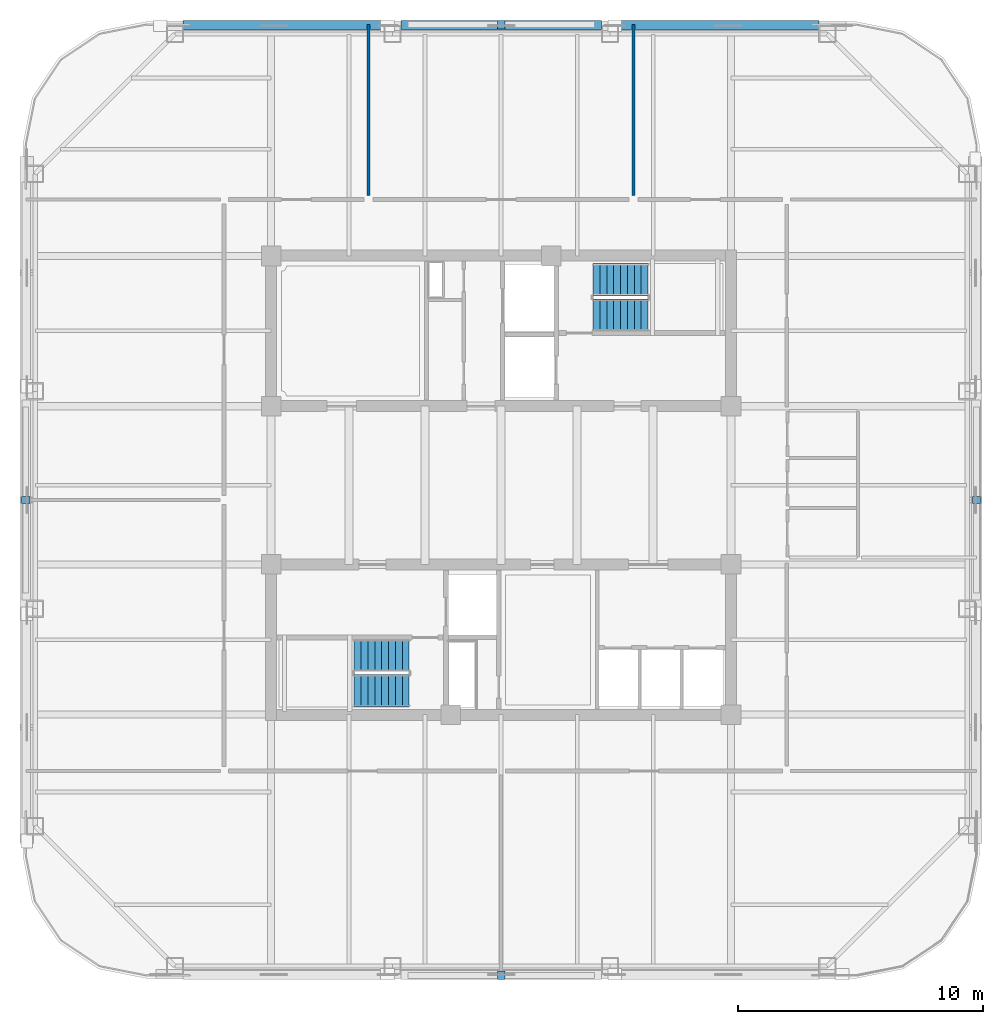
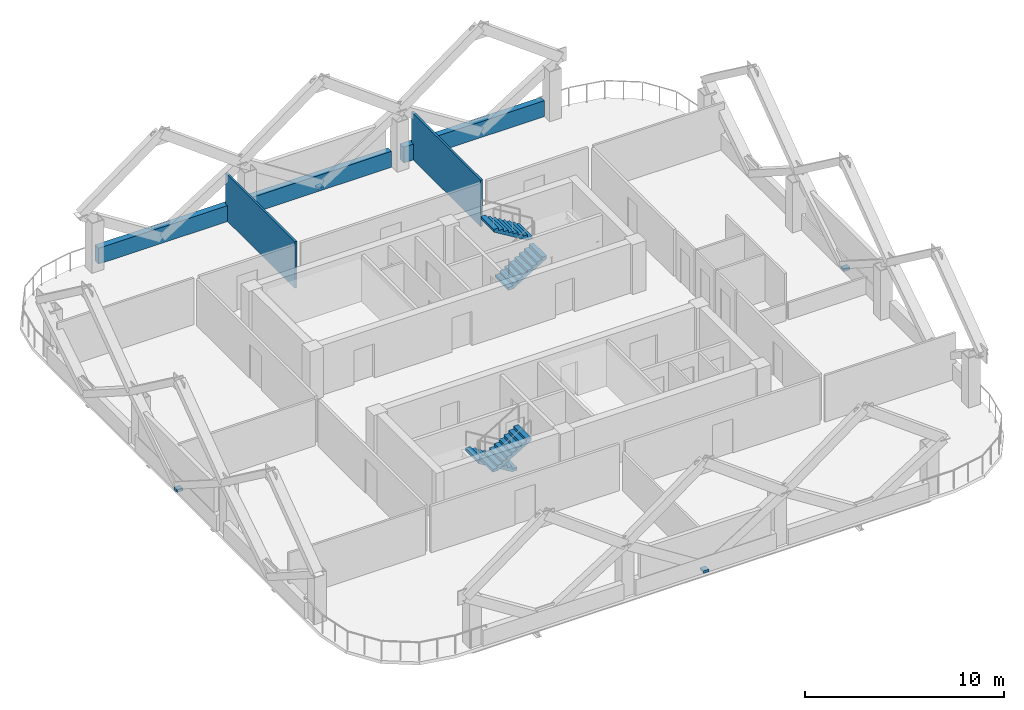
# One storey, part 5 of 8: 5 walls, 4 discrete accessories, 4 stair flights, 2 elements without a shape of their own.
"""IFC4 building model written with IfcOpenShell, lengths in metres."""

from ifc_helpers import new_model, si_unit, direction, frame, frame_2d, origin, origin_2d, place, context, subcontext, project, spatial, polyline, rectangle, outline, extrude, material, layer, layer_set, type_object, element, aggregate, save


model = new_model("IFC4")

# Units and contexts
model_context = context("Model", 3, precision=1e-05, world=origin(), true_north=direction((0.0, 1.0)))
body_context = subcontext(model_context, "Body", "Model", "MODEL_VIEW")
ifc_project = project(units=[si_unit("LENGTHUNIT", "METRE"), si_unit("AREAUNIT", "SQUARE_METRE"), si_unit("VOLUMEUNIT", "CUBIC_METRE"), si_unit("PLANEANGLEUNIT", "RADIAN"), si_unit("MASSUNIT", "GRAM", prefix="KILO")], contexts=[model_context])

# Site, building, storey
site_placement = place(None, origin())
site = spatial("IfcSite", under=ifc_project, at=site_placement, CompositionType="ELEMENT")
building_placement = place(site_placement, origin())
building = spatial("IfcBuilding", under=site, at=building_placement, Name="Qhalaya Broadcast Tower", CompositionType="ELEMENT")
storey_placement = place(building_placement, frame((0.0, 0.0, 223.89990234375)))
storey = spatial("IfcBuildingStorey", under=building, at=storey_placement, Name="L66", CompositionType="ELEMENT", Elevation=223.89990234375)

# Walls
ifc_material_1 = material(Name="Precast Concrete C40/50", Category="concrete")
ifc_layer_1 = layer(ifc_material_1, 0.360107421875, Name="Precast Concrete C40/50")
ifc_layer_set_1 = layer_set([ifc_layer_1], Name="Precast Concrete C40/50")
wall_type_1 = type_object("IfcWallType", Name="Insulated Precast Terracotta Exterior Wall 360", PredefinedType="SOLIDWALL", material=ifc_layer_set_1)
wall_1_placement = place(storey_placement, frame((-12.9619140625, 19.360107421875, 0.0), z_axis=(0.0, 0.0, 1.0), x_axis=(1.0, 0.0, 0.0)))
element("IfcWall", 1, at=wall_1_placement, inside=storey, type_object=wall_type_1, Name="L66 Exoskeleton Diagrid Infill Wall N1", PredefinedType="SOLIDWALL", context=body_context, shape_type="SweptSolid", body=[
    extrude(rectangle(XDim=8.1787109375, YDim=0.360107421875, at=frame_2d((4.08935546875, 0.0))), origin(), (0.0, 0.0, 1.0), 0.97998046875),
])
wall_2_placement = place(storey_placement, frame((-4.083251953125, 19.360107421875, 0.0), z_axis=(0.0, 0.0, 1.0), x_axis=(1.0, 0.0, 0.0)))
element("IfcWall", 2, at=wall_2_placement, inside=storey, type_object=wall_type_1, Name="L66 Exoskeleton Diagrid Infill Wall N2", PredefinedType="SOLIDWALL", context=body_context, shape_type="SweptSolid", body=[
    extrude(rectangle(XDim=8.16650390625, YDim=0.360107421875, at=frame_2d((4.083251953125, 0.0))), origin(), (0.0, 0.0, 1.0), 0.97998046875),
])
wall_3_placement = place(storey_placement, frame((4.783203125, 19.360107421875, 0.0), z_axis=(0.0, 0.0, 1.0), x_axis=(1.0, 0.0, 0.0)))
element("IfcWall", 3, at=wall_3_placement, inside=storey, type_object=wall_type_1, Name="L66 Exoskeleton Diagrid Infill Wall N3", PredefinedType="SOLIDWALL", context=body_context, shape_type="SweptSolid", body=[
    extrude(rectangle(XDim=8.1787109375, YDim=0.360107421875, at=frame_2d((4.08935546875, 0.0))), origin(), (0.0, 0.0, 1.0), 0.97998046875),
])
ifc_material_2 = material(Name="Gypsum Acoustic Partition")
ifc_layer_2 = layer(ifc_material_2, 0.1201171875, Name="Gypsum Acoustic Partition")
ifc_layer_set_2 = layer_set([ifc_layer_2], Name="Gypsum Acoustic Partition")
wall_type_2 = type_object("IfcWallType", Name="Office, Booth & Sanitary Partition 120", PredefinedType="PARTITIONING", material=ifc_layer_set_2)
for number, where, z_axis, x_axis, name in (
    (4, (-5.39990234375, 12.409912109375, 0.0), (0.0, 0.0, 1.0), (0.0, 1.0, 0.0), "L66 Partition Wall W-DIVN1"),
    (5, (5.39990234375, 12.409912109375, 0.0), (0.0, 0.0, 1.0), (0.0, 1.0, 0.0), "L66 Partition Wall W-DIVN2"),
):
    element("IfcWall", number, at=place(storey_placement, frame(where, z_axis=z_axis, x_axis=x_axis)), inside=storey, type_object=wall_type_2, Name=name, PredefinedType="PARTITIONING", context=body_context, shape_type="SweptSolid", body=[
        extrude(rectangle(XDim=6.969970703125, YDim=0.1201171875, at=frame_2d((3.48486328125, 0.0))), origin(), (0.0, 0.0, 1.0), 2.860107421875),
    ])

# Stair, stair flights
ifc_material_3 = material(Name="Concrete C40/50", Category="concrete")
stair_type = type_object("IfcStairType", Name="Protected Dogleg Core Stair 3150", PredefinedType="TWO_STRAIGHT_RUN_STAIR", material=ifc_material_3)
stair_1_placement = place(storey_placement, origin())
stair_1 = element("IfcStair", 6, at=stair_1_placement, inside=storey, type_object=stair_type, Name="L66 North Core Exit Stair ST-1", PredefinedType="TWO_STRAIGHT_RUN_STAIR")
stair_flight_type = type_object("IfcStairFlightType", Name="Precast Concrete Stair Flight 3150", PredefinedType="STRAIGHT", material=ifc_material_1)
stair_flight_1_placement = place(storey_placement, frame((3.75, 7.5400390625, 0.0), z_axis=(0.0, 0.0, 1.0), x_axis=(1.0, 0.0, 0.0)))
stair_flight_1 = element("IfcStairFlight", 7, at=stair_flight_1_placement, type_object=stair_flight_type, Name="ST-1 flight 1", NumberOfRisers=9, NumberOfTreads=8, PredefinedType="STRAIGHT", RiserHeight=0.169444444, TreadLength=0.28, context=body_context, shape_type="SweptSolid", body=[
    extrude(outline(polyline([(0.0, 0.0), (0.0, 0.16943359375), (0.280029296875, 0.16943359375), (0.280029296875, 0.3388671875), (0.56005859375, 0.3388671875), (0.56005859375, 0.50830078125), (0.840087890625, 0.50830078125), (0.840087890625, 0.677734375), (1.1201171875, 0.677734375), (1.1201171875, 0.84716796875), (1.39990234375, 0.84716796875), (1.39990234375, 1.0166015625), (1.679931640625, 1.0166015625), (1.679931640625, 1.18603515625), (1.9599609375, 1.18603515625), (1.9599609375, 1.35546875), (2.239990234375, 1.35546875), (2.239990234375, 1.52490234375), (2.239990234375, 1.180419921875), (0.28955078125, 0.0), (0.0, 0.0)])), frame((0.0, 0.66015625, 0.0), z_axis=(0.0, -1.0, 0.0), x_axis=(1.0, 0.0, 0.0)), (0.0, 0.0, 1.0), 1.320068359375),
])
stair_flight_2_placement = place(storey_placement, frame((5.989990234375, 8.97998046875, 1.525146484375), z_axis=(0.0, 0.0, 1.0), x_axis=(-1.0, 0.0, 0.0)))
stair_flight_2 = element("IfcStairFlight", 8, at=stair_flight_2_placement, type_object=stair_flight_type, Name="ST-1 flight 2", NumberOfRisers=9, NumberOfTreads=8, PredefinedType="STRAIGHT", RiserHeight=0.169444444, TreadLength=0.28, context=body_context, shape_type="SweptSolid", body=[
    extrude(outline(polyline([(0.0, 0.0), (0.0, 0.16943359375), (0.280029296875, 0.16943359375), (0.280029296875, 0.3388671875), (0.56005859375, 0.3388671875), (0.56005859375, 0.50830078125), (0.840087890625, 0.50830078125), (0.840087890625, 0.677734375), (1.1201171875, 0.677734375), (1.1201171875, 0.84716796875), (1.39990234375, 0.84716796875), (1.39990234375, 1.0166015625), (1.679931640625, 1.0166015625), (1.679931640625, 1.18603515625), (1.9599609375, 1.18603515625), (1.9599609375, 1.35546875), (2.239990234375, 1.35546875), (2.239990234375, 1.52490234375), (2.239990234375, 1.180419921875), (0.28955078125, 0.0), (0.0, 0.0)])), frame((0.0, 0.66015625, 0.0), z_axis=(0.0, -1.0, 0.0), x_axis=(1.0, 0.0, 0.0)), (0.0, 0.0, 1.0), 1.320068359375),
])
aggregate(stair_1, [stair_flight_1, stair_flight_2])

stair_2_placement = place(storey_placement, origin())
stair_2 = element("IfcStair", 9, at=stair_2_placement, inside=storey, type_object=stair_type, Name="L66 South Core Exit Stair ST-2", PredefinedType="TWO_STRAIGHT_RUN_STAIR")
stair_flight_3_placement = place(storey_placement, frame((-3.75, -6.340087890625, 0.0), z_axis=(0.0, 0.0, 1.0), x_axis=(-1.0, 0.0, 0.0)))
stair_flight_3 = element("IfcStairFlight", 10, at=stair_flight_3_placement, type_object=stair_flight_type, Name="ST-2 flight 1", NumberOfRisers=9, NumberOfTreads=8, PredefinedType="STRAIGHT", RiserHeight=0.169444444, TreadLength=0.28, context=body_context, shape_type="SweptSolid", body=[
    extrude(outline(polyline([(0.0, 0.0), (0.0, 0.16943359375), (0.280029296875, 0.16943359375), (0.280029296875, 0.3388671875), (0.56005859375, 0.3388671875), (0.56005859375, 0.50830078125), (0.840087890625, 0.50830078125), (0.840087890625, 0.677734375), (1.1201171875, 0.677734375), (1.1201171875, 0.84716796875), (1.39990234375, 0.84716796875), (1.39990234375, 1.0166015625), (1.679931640625, 1.0166015625), (1.679931640625, 1.18603515625), (1.9599609375, 1.18603515625), (1.9599609375, 1.35546875), (2.239990234375, 1.35546875), (2.239990234375, 1.52490234375), (2.239990234375, 1.180419921875), (0.28955078125, 0.0), (0.0, 0.0)])), frame((0.0, 0.66015625, 0.0), z_axis=(0.0, -1.0, 0.0), x_axis=(1.0, 0.0, 0.0)), (0.0, 0.0, 1.0), 1.320068359375),
])
stair_flight_4_placement = place(storey_placement, frame((-5.989990234375, -7.780029296875, 1.525146484375), z_axis=(0.0, 0.0, 1.0), x_axis=(1.0, 0.0, 0.0)))
stair_flight_4 = element("IfcStairFlight", 11, at=stair_flight_4_placement, type_object=stair_flight_type, Name="ST-2 flight 2", NumberOfRisers=9, NumberOfTreads=8, PredefinedType="STRAIGHT", RiserHeight=0.169444444, TreadLength=0.28, context=body_context, shape_type="SweptSolid", body=[
    extrude(outline(polyline([(0.0, 0.0), (0.0, 0.16943359375), (0.280029296875, 0.16943359375), (0.280029296875, 0.3388671875), (0.56005859375, 0.3388671875), (0.56005859375, 0.50830078125), (0.840087890625, 0.50830078125), (0.840087890625, 0.677734375), (1.1201171875, 0.677734375), (1.1201171875, 0.84716796875), (1.39990234375, 0.84716796875), (1.39990234375, 1.0166015625), (1.679931640625, 1.0166015625), (1.679931640625, 1.18603515625), (1.9599609375, 1.18603515625), (1.9599609375, 1.35546875), (2.239990234375, 1.35546875), (2.239990234375, 1.52490234375), (2.239990234375, 1.180419921875), (0.28955078125, 0.0), (0.0, 0.0)])), frame((0.0, 0.66015625, 0.0), z_axis=(0.0, -1.0, 0.0), x_axis=(1.0, 0.0, 0.0)), (0.0, 0.0, 1.0), 1.320068359375),
])
aggregate(stair_2, [stair_flight_3, stair_flight_4])

# Discrete accessories
ifc_material_4 = material(Name="Structural Steel ASTM A572 Grade 50", Category="steel")
discrete_accessory_type = type_object("IfcDiscreteAccessoryType", Name="Facade Baguette Support Bracket BRK-01", PredefinedType="BRACKET", material=ifc_material_4)
for number, where, z_axis, x_axis, name in (
    (12, (0.0, -19.3798828125, 0.0), (0.0, 0.0, 1.0), (1.0, 0.0, 0.0), "L66 Baguette Support Bracket S"),
    (13, (19.3798828125, 0.0, 0.0), (0.0, 0.0, 1.0), (0.0, 1.0, 0.0), "L66 Baguette Support Bracket E"),
    (14, (0.0, 19.3798828125, 0.0), (0.0, 0.0, 1.0), (-1.0, 0.0, 0.0), "L66 Baguette Support Bracket N"),
    (15, (-19.3798828125, 0.0, 0.0), (0.0, 0.0, 1.0), (0.0, -1.0, 0.0), "L66 Baguette Support Bracket W"),
):
    element("IfcDiscreteAccessory", number, at=place(storey_placement, frame(where, z_axis=z_axis, x_axis=x_axis)), inside=storey, type_object=discrete_accessory_type, Name=name, PredefinedType="BRACKET", context=body_context, shape_type="SweptSolid", body=[
        extrude(rectangle(XDim=0.300048828125, YDim=0.340087890625, at=origin_2d()), origin(), (0.0, 0.0, 1.0), 0.159912109375),
    ])

save(model, "model.ifc")
